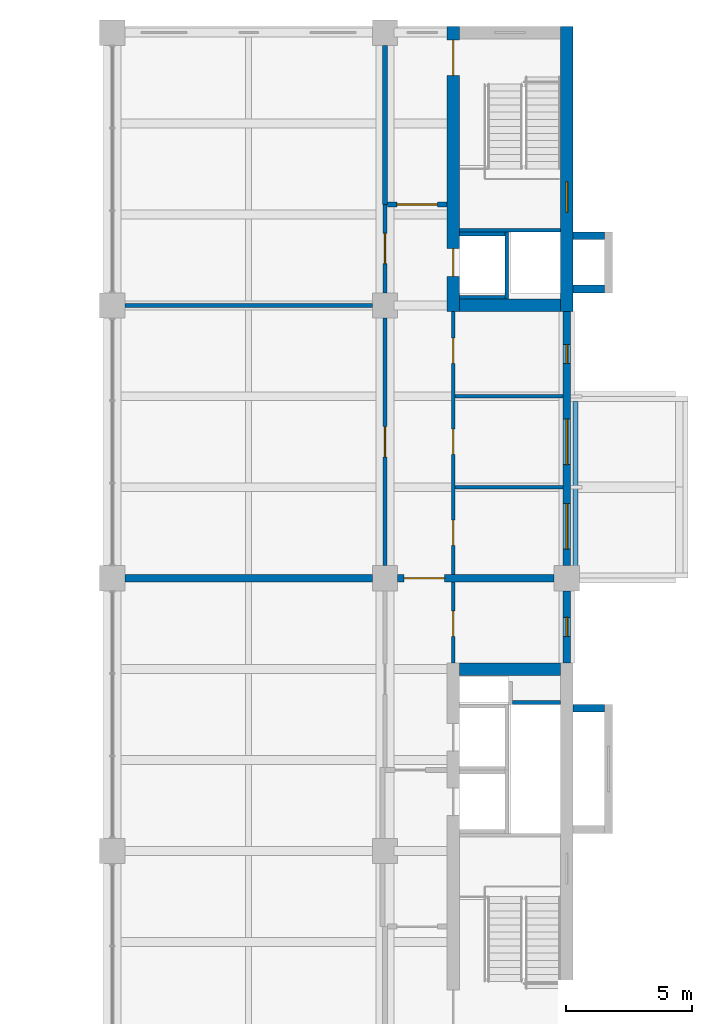
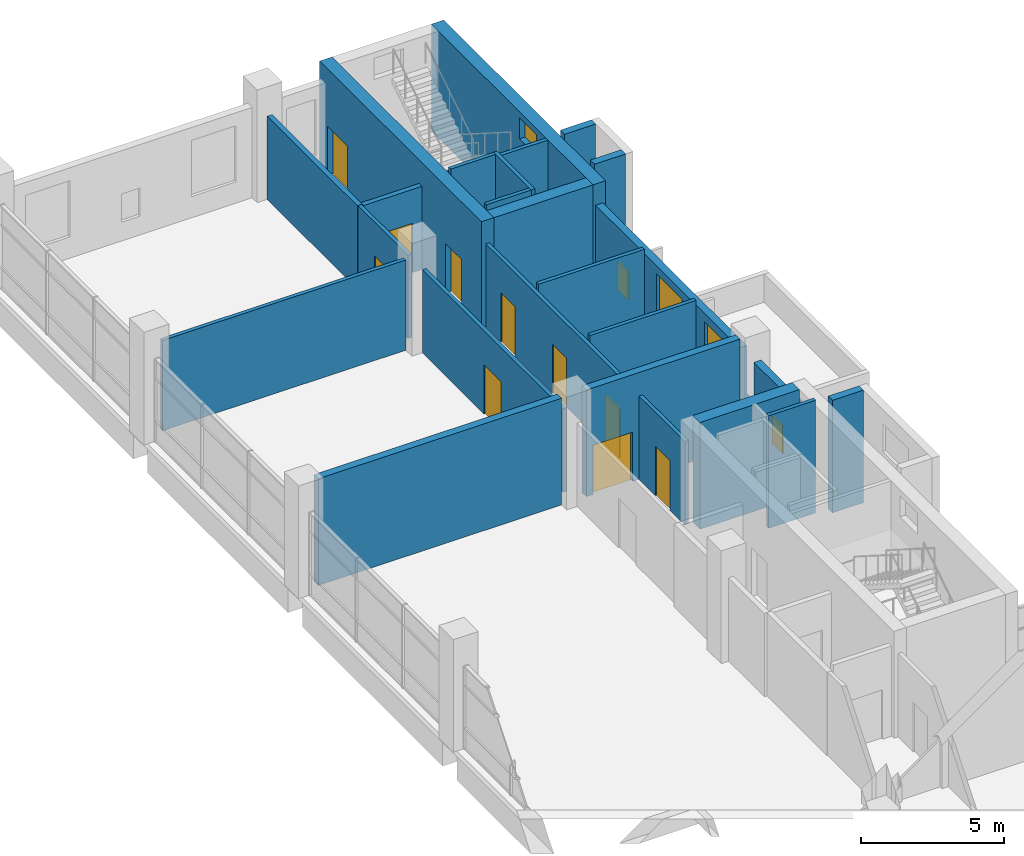
# One storey, part 25 of 30: 26 walls, 10 doors, 5 windows, 15 openings.
"""IFC4 building model written with IfcOpenShell, lengths in metres."""

from ifc_helpers import new_model, si_unit, direction, frame, frame_2d, origin, place, context, subcontext, project, spatial, rectangle, extrude, material, layer, layer_set, type_object, element, fill, save


model = new_model("IFC4")

# Units and contexts
model_context = context("Model", 3, precision=1e-05, world=origin(), true_north=direction((0.0, 1.0)))
body_context = subcontext(model_context, "Body", "Model", "MODEL_VIEW")
ifc_project = project(units=[si_unit("LENGTHUNIT", "METRE"), si_unit("AREAUNIT", "SQUARE_METRE"), si_unit("VOLUMEUNIT", "CUBIC_METRE"), si_unit("PLANEANGLEUNIT", "RADIAN"), si_unit("MASSUNIT", "GRAM", prefix="KILO")], contexts=[model_context])

# Site, building, storey
site_placement = place(None, origin())
site = spatial("IfcSite", under=ifc_project, at=site_placement, CompositionType="ELEMENT")
building_placement = place(site_placement, origin())
building = spatial("IfcBuilding", under=site, at=building_placement, Name="Basin Gate Institute", CompositionType="ELEMENT")
storey_placement = place(building_placement, frame((0.0, 0.0, 36.60009765625)))
storey = spatial("IfcBuildingStorey", under=building, at=storey_placement, Name="L07", CompositionType="ELEMENT", Elevation=36.60009765625)

# Wall, opening, door
ifc_material_1 = material(Name="Fire-rated masonry", Category="masonry")
ifc_layer_1 = layer(ifc_material_1, 0.199951171875)
ifc_layer_set_1 = layer_set([ifc_layer_1], Name="Enclosure wall PW2 200 EI 60")
wall_type_1 = type_object("IfcWallType", Name="Enclosure wall PW2 200 EI 60", PredefinedType="PARTITIONING", material=ifc_layer_set_1)
wall_1_placement = place(storey_placement, frame((114.050048828125, 93.10009765625, 0.0), z_axis=(0.0, 0.0, 1.0), x_axis=(-1.0, 0.0, 0.0)))
wall_1 = element("IfcWall", 1, at=wall_1_placement, inside=storey, type_object=wall_type_1, material=ifc_layer_set_1, Name="Smoke lobby enclosure wall PW2 L07", PredefinedType="PARTITIONING", context=body_context, shape_type="SweptSolid", body=[
    extrude(rectangle(XDim=2.35009765625, YDim=0.199951171875, at=frame_2d((1.175048828125, 0.0))), origin(), (0.0, 0.0, 1.0), 3.5498046875),
])
opening_1_placement = place(wall_1_placement, frame((0.375, 0.0, 0.0)))
opening_1 = element("IfcOpeningElement", 2, at=opening_1_placement, cuts=wall_1, Name="Opening DR341", PredefinedType="OPENING", context=body_context, shape_type="SweptSolid", body=[
    extrude(rectangle(XDim=1.60009765625, YDim=2.10009765625, at=frame_2d((0.800048828125, 1.050048828125))), frame((0.0, 0.10986328125, 0.0), z_axis=(0.0, -1.0, 0.0), x_axis=(1.0, 0.0, 0.0)), (0.0, 0.0, 1.0), 0.219970703125),
])
ifc_material_2 = material(Name="Steel fire door", Category="steel")
door_type_1 = type_object("IfcDoorType", Name="FD60 Smoke lobby door pair D8", OperationType="DOUBLE_DOOR_SINGLE_SWING", PredefinedType="DOOR", material=ifc_material_2)
door_1_placement = place(opening_1_placement, frame((1.60009765625, 0.0, 0.0), z_axis=(0.0, 0.0, 1.0), x_axis=(-1.0, 0.0, 0.0)))
door_1 = element("IfcDoor", 3, at=door_1_placement, inside=storey, type_object=door_type_1, material=ifc_material_2, Name="Smoke lobby door SS6 L07", OperationType="DOUBLE_DOOR_SINGLE_SWING", OverallHeight=2.10009765625, OverallWidth=1.60009765625, PredefinedType="DOOR", context=body_context, shape_type="SweptSolid", body=[
    extrude(rectangle(XDim=1.60009765625, YDim=2.10009765625, at=frame_2d((0.800048828125, 1.050048828125))), frame((0.0, 0.02490234375, 0.0), z_axis=(0.0, -1.0, 0.0), x_axis=(1.0, 0.0, 0.0)), (0.0, 0.0, 1.0), 0.050048828125),
])
fill(opening_1, door_1)

# Wall
wall_2_placement = place(storey_placement, frame((111.60009765625, 93.10009765625, 0.0), z_axis=(0.0, 0.0, 1.0), x_axis=(0.0, 1.0, 0.0)))
element("IfcWall", 4, at=wall_2_placement, inside=storey, type_object=wall_type_1, material=ifc_layer_set_1, Name="Smoke lobby enclosure wall PW2 L07", PredefinedType="PARTITIONING", context=body_context, shape_type="SweptSolid", body=[
    extrude(rectangle(XDim=6.2998046875, YDim=0.199951171875, at=frame_2d((3.14990234375, 0.0))), origin(), (0.0, 0.0, 1.0), 3.5498046875),
])

# Wall, opening, window
ifc_material_3 = material(Name="Aluminium-faced insulated panel wall", Category="aluminium")
ifc_layer_2 = layer(ifc_material_3, 0.300048828125)
ifc_layer_set_2 = layer_set([ifc_layer_2], Name="External wall EW1 EI 120")
wall_type_2 = type_object("IfcWallType", Name="External wall EW1 EI 120", PredefinedType="STANDARD", material=ifc_layer_set_2)
wall_3_placement = place(storey_placement, frame((118.800048828125, 74.949951171875, 0.0), z_axis=(0.0, 0.0, 1.0), x_axis=(0.0, 1.0, 0.0)))
wall_3 = element("IfcWall", 5, at=wall_3_placement, inside=storey, type_object=wall_type_2, material=ifc_layer_set_2, Name="External wall E facade L07 1", PredefinedType="STANDARD", context=body_context, shape_type="SweptSolid", body=[
    extrude(rectangle(XDim=2.85009765625, YDim=0.300048828125, at=frame_2d((1.425048828125, 0.0))), origin(), (0.0, 0.0, 1.0), 3.64990234375),
])
opening_2_placement = place(wall_3_placement, frame((1.050048828125, 0.0, 0.800048828125)))
opening_2 = element("IfcOpeningElement", 6, at=opening_2_placement, cuts=wall_3, Name="Opening WN3", PredefinedType="OPENING", context=body_context, shape_type="SweptSolid", body=[
    extrude(rectangle(XDim=0.75, YDim=1.199951171875, at=frame_2d((0.375, 0.60009765625))), frame((0.0, 0.16015625, 0.0), z_axis=(0.0, -1.0, 0.0), x_axis=(1.0, 0.0, 0.0)), (0.0, 0.0, 1.0), 0.320068359375),
])
ifc_material_4 = material(Name="Aluminium-framed double glazing", Category="aluminium")
window_type_1 = type_object("IfcWindowType", Name="Emergency entry panel WN3", PartitioningType="SINGLE_PANEL", PredefinedType="WINDOW", material=ifc_material_4)
window_1_placement = place(opening_2_placement, origin())
window_1 = element("IfcWindow", 7, at=window_1_placement, inside=storey, type_object=window_type_1, material=ifc_material_4, Name="Emergency entry panel E facade L07 bay 12", OverallHeight=1.199951171875, OverallWidth=0.75, PartitioningType="SINGLE_PANEL", PredefinedType="WINDOW", context=body_context, shape_type="SweptSolid", body=[
    extrude(rectangle(XDim=0.75, YDim=1.199951171875, at=frame_2d((0.375, 0.60009765625))), frame((0.0, 0.030029296875, 0.0), z_axis=(0.0, -1.0, 0.0), x_axis=(1.0, 0.0, 0.0)), (0.0, 0.0, 1.0), 0.06005859375),
])
fill(opening_2, window_1)

# Wall, openings, windows
wall_4_placement = place(storey_placement, frame((118.800048828125, 78.800048828125, 0.0), z_axis=(0.0, 0.0, 1.0), x_axis=(0.0, 1.0, 0.0)))
wall_4 = element("IfcWall", 8, at=wall_4_placement, inside=storey, type_object=wall_type_2, material=ifc_layer_set_2, Name="External wall E facade L07 2", PredefinedType="STANDARD", context=body_context, shape_type="SweptSolid", body=[
    extrude(rectangle(XDim=10.050048828125, YDim=0.300048828125, at=frame_2d((5.02490234375, 0.0))), origin(), (0.0, 0.0, 1.0), 3.64990234375),
])
opening_3_placement = place(wall_4_placement, frame((0.64990234375, 0.0, 0.89990234375)))
opening_3 = element("IfcOpeningElement", 9, at=opening_3_placement, cuts=wall_4, Name="Opening WN1", PredefinedType="OPENING", context=body_context, shape_type="SweptSolid", body=[
    extrude(rectangle(XDim=1.800048828125, YDim=2.39990234375, at=frame_2d((0.89990234375, 1.199951171875))), frame((0.0, 0.16015625, 0.0), z_axis=(0.0, -1.0, 0.0), x_axis=(1.0, 0.0, 0.0)), (0.0, 0.0, 1.0), 0.320068359375),
])
opening_4_placement = place(wall_4_placement, frame((4.0, 0.0, 0.89990234375)))
opening_4 = element("IfcOpeningElement", 10, at=opening_4_placement, cuts=wall_4, Name="Opening WN1", PredefinedType="OPENING", context=body_context, shape_type="SweptSolid", body=[
    extrude(rectangle(XDim=1.800048828125, YDim=2.39990234375, at=frame_2d((0.89990234375, 1.199951171875))), frame((0.0, 0.16015625, 0.0), z_axis=(0.0, -1.0, 0.0), x_axis=(1.0, 0.0, 0.0)), (0.0, 0.0, 1.0), 0.320068359375),
])
opening_5_placement = place(wall_4_placement, frame((8.0, 0.0, 0.800048828125)))
opening_5 = element("IfcOpeningElement", 11, at=opening_5_placement, cuts=wall_4, Name="Opening WN3", PredefinedType="OPENING", context=body_context, shape_type="SweptSolid", body=[
    extrude(rectangle(XDim=0.75, YDim=1.199951171875, at=frame_2d((0.375, 0.60009765625))), frame((0.0, 0.16015625, 0.0), z_axis=(0.0, -1.0, 0.0), x_axis=(1.0, 0.0, 0.0)), (0.0, 0.0, 1.0), 0.320068359375),
])
window_2_placement = place(opening_5_placement, origin())
window_2 = element("IfcWindow", 12, at=window_2_placement, inside=storey, type_object=window_type_1, material=ifc_material_4, Name="Emergency entry panel E facade L07 bay 15", OverallHeight=1.199951171875, OverallWidth=0.75, PartitioningType="SINGLE_PANEL", PredefinedType="WINDOW", context=body_context, shape_type="SweptSolid", body=[
    extrude(rectangle(XDim=0.75, YDim=1.199951171875, at=frame_2d((0.375, 0.60009765625))), frame((0.0, 0.030029296875, 0.0), z_axis=(0.0, -1.0, 0.0), x_axis=(1.0, 0.0, 0.0)), (0.0, 0.0, 1.0), 0.06005859375),
])
fill(opening_5, window_2)
ifc_material_5 = material(Name="Aluminium-framed double glazing", Category="aluminium")
window_type_2 = type_object("IfcWindowType", Name="Facade window WN1", PartitioningType="SINGLE_PANEL", PredefinedType="WINDOW", material=ifc_material_5)
window_3_placement = place(opening_3_placement, origin())
window_3 = element("IfcWindow", 13, at=window_3_placement, inside=storey, type_object=window_type_2, material=ifc_material_5, Name="Facade window E facade L07 bay 13", OverallHeight=2.39990234375, OverallWidth=1.800048828125, PartitioningType="SINGLE_PANEL", PredefinedType="WINDOW", context=body_context, shape_type="SweptSolid", body=[
    extrude(rectangle(XDim=1.800048828125, YDim=2.39990234375, at=frame_2d((0.89990234375, 1.199951171875))), frame((0.0, 0.030029296875, 0.0), z_axis=(0.0, -1.0, 0.0), x_axis=(1.0, 0.0, 0.0)), (0.0, 0.0, 1.0), 0.06005859375),
])
fill(opening_3, window_3)
window_4_placement = place(opening_4_placement, origin())
window_4 = element("IfcWindow", 14, at=window_4_placement, inside=storey, type_object=window_type_2, material=ifc_material_5, Name="Facade window E facade L07 bay 14", OverallHeight=2.39990234375, OverallWidth=1.800048828125, PartitioningType="SINGLE_PANEL", PredefinedType="WINDOW", context=body_context, shape_type="SweptSolid", body=[
    extrude(rectangle(XDim=1.800048828125, YDim=2.39990234375, at=frame_2d((0.89990234375, 1.199951171875))), frame((0.0, 0.030029296875, 0.0), z_axis=(0.0, -1.0, 0.0), x_axis=(1.0, 0.0, 0.0)), (0.0, 0.0, 1.0), 0.06005859375),
])
fill(opening_4, window_4)

# Wall
ifc_material_6 = material(Name="Concrete 40 MPa", Category="concrete")
ifc_layer_3 = layer(ifc_material_6, 0.199951171875)
ifc_layer_set_3 = layer_set([ifc_layer_3], Name="Concrete 40 MPa")
wall_type_3 = type_object("IfcWallType", Name="Parapet wall PA1", PredefinedType="PARAPET", material=ifc_layer_set_3)
wall_5_placement = place(storey_placement, frame((119.14990234375, 78.5, 0.0), z_axis=(0.0, 0.0, 1.0), x_axis=(0.0, 1.0, 0.0)))
element("IfcWall", 15, at=wall_5_placement, inside=storey, type_object=wall_type_3, material=ifc_layer_set_3, Name="Parapet wall PA1 L07 E2", PredefinedType="PARAPET", context=body_context, shape_type="SweptSolid", body=[
    extrude(rectangle(XDim=6.800048828125, YDim=0.199951171875, at=frame_2d((3.39990234375, 0.0))), origin(), (0.0, 0.0, 1.0), 1.199951171875),
])

# Wall, opening, door
ifc_material_7 = material(Name="Gypsum board on steel stud", Category="steel")
ifc_layer_4 = layer(ifc_material_7, 0.14990234375)
ifc_layer_set_4 = layer_set([ifc_layer_4], Name="Gypsum board on steel stud")
wall_type_4 = type_object("IfcWallType", Name="Partition PW1 150 EI 60", PredefinedType="PARTITIONING", material=ifc_layer_set_4)
wall_6_placement = place(storey_placement, frame((114.300048828125, 74.949951171875, 0.0), z_axis=(0.0, 0.0, 1.0), x_axis=(0.0, 1.0, 0.0)))
wall_6 = element("IfcWall", 16, at=wall_6_placement, inside=storey, type_object=wall_type_4, material=ifc_layer_set_4, Name="Corridor wall PW1 L07", PredefinedType="PARTITIONING", context=body_context, shape_type="SweptSolid", body=[
    extrude(rectangle(XDim=3.199951171875, YDim=0.14990234375, at=frame_2d((1.60009765625, 0.0))), origin(), (0.0, 0.0, 1.0), 3.5498046875),
])
opening_6_placement = place(wall_6_placement, frame((1.050048828125, 0.0, 0.0)))
opening_6 = element("IfcOpeningElement", 17, at=opening_6_placement, cuts=wall_6, Name="Opening DR330", PredefinedType="OPENING", context=body_context, shape_type="SweptSolid", body=[
    extrude(rectangle(XDim=1.0, YDim=2.10009765625, at=frame_2d((0.5, 1.050048828125))), frame((0.0, 0.0849609375, 0.0), z_axis=(0.0, -1.0, 0.0), x_axis=(1.0, 0.0, 0.0)), (0.0, 0.0, 1.0), 0.169921875),
])
ifc_material_8 = material(Name="Timber fire door", Category="wood")
door_type_2 = type_object("IfcDoorType", Name="FD30 Office door D1", OperationType="NOTDEFINED", PredefinedType="DOOR", material=ifc_material_8)
door_2_placement = place(opening_6_placement, frame((1.0, 0.0, 0.0), z_axis=(0.0, 0.0, 1.0), x_axis=(-1.0, 0.0, 0.0)))
door_2 = element("IfcDoor", 18, at=door_2_placement, inside=storey, type_object=door_type_2, material=ifc_material_8, Name="Door to Write-up Office 0753 L07", OperationType="SINGLE_SWING_RIGHT", OverallHeight=2.10009765625, OverallWidth=1.0, PredefinedType="DOOR", context=body_context, shape_type="SweptSolid", body=[
    extrude(rectangle(XDim=1.0, YDim=2.10009765625, at=frame_2d((0.5, 1.050048828125))), frame((0.0, 0.02490234375, 0.0), z_axis=(0.0, -1.0, 0.0), x_axis=(1.0, 0.0, 0.0)), (0.0, 0.0, 1.0), 0.050048828125),
])
fill(opening_6, door_2)

# Wall, openings, doors
wall_7_placement = place(storey_placement, frame((114.300048828125, 78.449951171875, 0.0), z_axis=(0.0, 0.0, 1.0), x_axis=(0.0, 1.0, 0.0)))
wall_7 = element("IfcWall", 19, at=wall_7_placement, inside=storey, type_object=wall_type_4, material=ifc_layer_set_4, Name="Corridor wall PW1 L07", PredefinedType="PARTITIONING", context=body_context, shape_type="SweptSolid", body=[
    extrude(rectangle(XDim=10.400146484375, YDim=0.14990234375, at=frame_2d((5.2001953125, 0.0))), origin(), (0.0, 0.0, 1.0), 3.5498046875),
])
opening_7_placement = place(wall_7_placement, frame((8.35009765625, 0.0, 0.0)))
opening_7 = element("IfcOpeningElement", 20, at=opening_7_placement, cuts=wall_7, Name="Opening DR325", PredefinedType="OPENING", context=body_context, shape_type="SweptSolid", body=[
    extrude(rectangle(XDim=1.0, YDim=2.10009765625, at=frame_2d((0.5, 1.050048828125))), frame((0.0, 0.0849609375, 0.0), z_axis=(0.0, -1.0, 0.0), x_axis=(1.0, 0.0, 0.0)), (0.0, 0.0, 1.0), 0.169921875),
])
opening_8_placement = place(wall_7_placement, frame((4.75, 0.0, 0.0)))
opening_8 = element("IfcOpeningElement", 21, at=opening_8_placement, cuts=wall_7, Name="Opening DR326", PredefinedType="OPENING", context=body_context, shape_type="SweptSolid", body=[
    extrude(rectangle(XDim=1.0, YDim=2.10009765625, at=frame_2d((0.5, 1.050048828125))), frame((0.0, 0.0849609375, 0.0), z_axis=(0.0, -1.0, 0.0), x_axis=(1.0, 0.0, 0.0)), (0.0, 0.0, 1.0), 0.169921875),
])
opening_9_placement = place(wall_7_placement, frame((1.14990234375, 0.0, 0.0)))
opening_9 = element("IfcOpeningElement", 22, at=opening_9_placement, cuts=wall_7, Name="Opening DR329", PredefinedType="OPENING", context=body_context, shape_type="SweptSolid", body=[
    extrude(rectangle(XDim=1.0, YDim=2.10009765625, at=frame_2d((0.5, 1.050048828125))), frame((0.0, 0.0849609375, 0.0), z_axis=(0.0, -1.0, 0.0), x_axis=(1.0, 0.0, 0.0)), (0.0, 0.0, 1.0), 0.169921875),
])
ifc_material_9 = material(Name="Steel fire door", Category="steel")
door_type_3 = type_object("IfcDoorType", Name="FD30 Store door D4", OperationType="NOTDEFINED", PredefinedType="DOOR", material=ifc_material_9)
door_3_placement = place(opening_9_placement, frame((1.0, 0.0, 0.0), z_axis=(0.0, 0.0, 1.0), x_axis=(-1.0, 0.0, 0.0)))
door_3 = element("IfcDoor", 23, at=door_3_placement, inside=storey, type_object=door_type_3, material=ifc_material_9, Name="Door to Tea Point L07", OperationType="SINGLE_SWING_RIGHT", OverallHeight=2.10009765625, OverallWidth=1.0, PredefinedType="DOOR", context=body_context, shape_type="SweptSolid", body=[
    extrude(rectangle(XDim=1.0, YDim=2.10009765625, at=frame_2d((0.5, 1.050048828125))), frame((0.0, 0.02490234375, 0.0), z_axis=(0.0, -1.0, 0.0), x_axis=(1.0, 0.0, 0.0)), (0.0, 0.0, 1.0), 0.050048828125),
])
fill(opening_9, door_3)
ifc_material_10 = material(Name="Timber fire door", Category="wood")
door_type_4 = type_object("IfcDoorType", Name="FD30 Toilet door D3", OperationType="NOTDEFINED", PredefinedType="DOOR", material=ifc_material_10)
door_4_placement = place(opening_7_placement, frame((1.0, 0.0, 0.0), z_axis=(0.0, 0.0, 1.0), x_axis=(-1.0, 0.0, 0.0)))
door_4 = element("IfcDoor", 24, at=door_4_placement, inside=storey, type_object=door_type_4, material=ifc_material_10, Name="Door to Female WC L07", OperationType="SINGLE_SWING_LEFT", OverallHeight=2.10009765625, OverallWidth=1.0, PredefinedType="DOOR", context=body_context, shape_type="SweptSolid", body=[
    extrude(rectangle(XDim=1.0, YDim=2.10009765625, at=frame_2d((0.5, 1.050048828125))), frame((0.0, 0.02490234375, 0.0), z_axis=(0.0, -1.0, 0.0), x_axis=(1.0, 0.0, 0.0)), (0.0, 0.0, 1.0), 0.050048828125),
])
fill(opening_7, door_4)
door_5_placement = place(opening_8_placement, frame((1.0, 0.0, 0.0), z_axis=(0.0, 0.0, 1.0), x_axis=(-1.0, 0.0, 0.0)))
door_5 = element("IfcDoor", 25, at=door_5_placement, inside=storey, type_object=door_type_4, material=ifc_material_10, Name="Door to Male WC L07", OperationType="SINGLE_SWING_RIGHT", OverallHeight=2.10009765625, OverallWidth=1.0, PredefinedType="DOOR", context=body_context, shape_type="SweptSolid", body=[
    extrude(rectangle(XDim=1.0, YDim=2.10009765625, at=frame_2d((0.5, 1.050048828125))), frame((0.0, 0.02490234375, 0.0), z_axis=(0.0, -1.0, 0.0), x_axis=(1.0, 0.0, 0.0)), (0.0, 0.0, 1.0), 0.050048828125),
])
fill(opening_8, door_5)

# Wall, opening, door
wall_8_placement = place(storey_placement, frame((111.60009765625, 78.800048828125, 0.0), z_axis=(0.0, 0.0, 1.0), x_axis=(0.0, 1.0, 0.0)))
wall_8 = element("IfcWall", 26, at=wall_8_placement, inside=storey, type_object=wall_type_4, material=ifc_layer_set_4, Name="Laboratory corridor wall PW1 L07", PredefinedType="PARTITIONING", context=body_context, shape_type="SweptSolid", body=[
    extrude(rectangle(XDim=9.800048828125, YDim=0.14990234375, at=frame_2d((4.89990234375, 0.0))), origin(), (0.0, 0.0, 1.0), 3.5498046875),
])
opening_10_placement = place(wall_8_placement, frame((4.300048828125, 0.0, 0.0)))
opening_10 = element("IfcOpeningElement", 27, at=opening_10_placement, cuts=wall_8, Name="Opening DR335", PredefinedType="OPENING", context=body_context, shape_type="SweptSolid", body=[
    extrude(rectangle(XDim=1.199951171875, YDim=2.10009765625, at=frame_2d((0.60009765625, 1.050048828125))), frame((0.0, 0.0849609375, 0.0), z_axis=(0.0, -1.0, 0.0), x_axis=(1.0, 0.0, 0.0)), (0.0, 0.0, 1.0), 0.169921875),
])
ifc_material_11 = material(Name="Timber fire door", Category="wood")
door_type_5 = type_object("IfcDoorType", Name="FD30 Laboratory door D2", OperationType="DOUBLE_DOOR_SINGLE_SWING", PredefinedType="DOOR", material=ifc_material_11)
door_6_placement = place(opening_10_placement, origin())
door_6 = element("IfcDoor", 28, at=door_6_placement, inside=storey, type_object=door_type_5, material=ifc_material_11, Name="Door to Write-up Office 0769 L07", OperationType="DOUBLE_DOOR_SINGLE_SWING", OverallHeight=2.10009765625, OverallWidth=1.199951171875, PredefinedType="DOOR", context=body_context, shape_type="SweptSolid", body=[
    extrude(rectangle(XDim=1.199951171875, YDim=2.10009765625, at=frame_2d((0.60009765625, 1.050048828125))), frame((0.0, 0.02490234375, 0.0), z_axis=(0.0, -1.0, 0.0), x_axis=(1.0, 0.0, 0.0)), (0.0, 0.0, 1.0), 0.050048828125),
])
fill(opening_10, door_6)

wall_9_placement = place(storey_placement, frame((111.60009765625, 89.60009765625, 0.0), z_axis=(0.0, 0.0, 1.0), x_axis=(0.0, 1.0, 0.0)))
wall_9 = element("IfcWall", 29, at=wall_9_placement, inside=storey, type_object=wall_type_4, material=ifc_layer_set_4, Name="Laboratory corridor wall PW1 L07", PredefinedType="PARTITIONING", context=body_context, shape_type="SweptSolid", body=[
    extrude(rectangle(XDim=3.5, YDim=0.14990234375, at=frame_2d((1.75, 0.0))), origin(), (0.0, 0.0, 1.0), 3.5498046875),
])
opening_11_placement = place(wall_9_placement, frame((1.14990234375, 0.0, 0.0)))
opening_11 = element("IfcOpeningElement", 30, at=opening_11_placement, cuts=wall_9, Name="Opening DR336", PredefinedType="OPENING", context=body_context, shape_type="SweptSolid", body=[
    extrude(rectangle(XDim=1.199951171875, YDim=2.10009765625, at=frame_2d((0.60009765625, 1.050048828125))), frame((0.0, 0.0849609375, 0.0), z_axis=(0.0, -1.0, 0.0), x_axis=(1.0, 0.0, 0.0)), (0.0, 0.0, 1.0), 0.169921875),
])
door_7_placement = place(opening_11_placement, origin())
door_7 = element("IfcDoor", 31, at=door_7_placement, inside=storey, type_object=door_type_5, material=ifc_material_11, Name="Door to Write-up Office 0770 L07", OperationType="DOUBLE_DOOR_SINGLE_SWING", OverallHeight=2.10009765625, OverallWidth=1.199951171875, PredefinedType="DOOR", context=body_context, shape_type="SweptSolid", body=[
    extrude(rectangle(XDim=1.199951171875, YDim=2.10009765625, at=frame_2d((0.60009765625, 1.050048828125))), frame((0.0, 0.02490234375, 0.0), z_axis=(0.0, -1.0, 0.0), x_axis=(1.0, 0.0, 0.0)), (0.0, 0.0, 1.0), 0.050048828125),
])
fill(opening_11, door_7)

# Walls
wall_10_placement = place(storey_placement, frame((111.10009765625, 89.10009765625, 0.0), z_axis=(0.0, 0.0, 1.0), x_axis=(-1.0, 0.0, 0.0)))
element("IfcWall", 32, at=wall_10_placement, inside=storey, type_object=wall_type_4, material=ifc_layer_set_4, Name="Laboratory partition PW1 L07", PredefinedType="PARTITIONING", context=body_context, shape_type="SweptSolid", body=[
    extrude(rectangle(XDim=9.800048828125, YDim=0.14990234375, at=frame_2d((4.89990234375, 0.0))), origin(), (0.0, 0.0, 1.0), 3.849853515625),
])
ifc_material_12 = material(Name="Gypsum board on steel stud", Category="steel")
ifc_layer_5 = layer(ifc_material_12, 0.14990234375)
ifc_layer_set_5 = layer_set([ifc_layer_5], Name="Gypsum board on steel stud")
wall_type_5 = type_object("IfcWallType", Name="Partition PW4 150", PredefinedType="PARTITIONING", material=ifc_layer_set_5)
for number, where, z_axis, x_axis, name in (
    (33, (118.64990234375, 81.89990234375, 0.0), (0.0, 0.0, 1.0), (-1.0, 0.0, 0.0), "Toilet partition PW4 L07"),
    (34, (118.64990234375, 85.5, 0.0), (0.0, 0.0, 1.0), (-1.0, 0.0, 0.0), "Toilet partition PW4 L07"),
):
    element("IfcWall", number, at=place(storey_placement, frame(where, z_axis=z_axis, x_axis=x_axis)), inside=storey, type_object=wall_type_5, material=ifc_layer_set_5, Name=name, PredefinedType="PARTITIONING", context=body_context, shape_type="SweptSolid", body=[
        extrude(rectangle(XDim=4.27490234375, YDim=0.14990234375, at=frame_2d((2.137451171875, 0.0))), origin(), (0.0, 0.0, 1.0), 3.849853515625),
    ])
ifc_material_13 = material(Name="Concrete 40 MPa", Category="concrete")
ifc_layer_6 = layer(ifc_material_13, 0.14990234375)
ifc_layer_set_6 = layer_set([ifc_layer_6], Name="Concrete 40 MPa")
wall_type_6 = type_object("IfcWallType", Name="Wall LS1 lift shaft enclosure R120", PredefinedType="SOLIDWALL", material=ifc_layer_set_6)
wall_11_placement = place(storey_placement, frame((116.425048828125, 92.0, 0.0), z_axis=(0.0, 0.0, 1.0), x_axis=(0.0, -1.0, 0.0)))
element("IfcWall", 35, at=wall_11_placement, inside=storey, type_object=wall_type_6, material=ifc_layer_set_6, Name="Lift shaft enclosure LP6 L07 UL", PredefinedType="SOLIDWALL", context=body_context, shape_type="SweptSolid", body=[
    extrude(rectangle(XDim=2.64990234375, YDim=0.14990234375, at=frame_2d((1.324951171875, 0.0))), origin(), (0.0, 0.0, 1.0), 4.7998046875),
])
for number, where, z_axis, x_axis, name in (
    (36, (116.35009765625, 91.925048828125, 0.0), (0.0, 0.0, 1.0), (-1.0, 0.0, 0.0), "Lift shaft enclosure LP6 L07 RL"),
    (37, (116.35009765625, 89.425048828125, 0.0), (0.0, 0.0, 1.0), (-1.0, 0.0, 0.0), "Lift shaft enclosure LP6 L07 RH"),
):
    element("IfcWall", number, at=place(storey_placement, frame(where, z_axis=z_axis, x_axis=x_axis)), inside=storey, type_object=wall_type_6, material=ifc_layer_set_6, Name=name, PredefinedType="SOLIDWALL", context=body_context, shape_type="SweptSolid", body=[
        extrude(rectangle(XDim=1.800048828125, YDim=0.14990234375, at=frame_2d((0.89990234375, 0.0))), origin(), (0.0, 0.0, 1.0), 4.7998046875),
    ])
ifc_material_14 = material(Name="Concrete 40 MPa", Category="concrete")
ifc_layer_7 = layer(ifc_material_14, 0.14990234375)
ifc_layer_set_7 = layer_set([ifc_layer_7], Name="Concrete 40 MPa")
wall_type_7 = type_object("IfcWallType", Name="Wall RS1 riser shaft enclosure R120", PredefinedType="SOLIDWALL", material=ifc_layer_set_7)
wall_12_placement = place(storey_placement, frame((118.550048828125, 73.375, 0.0), z_axis=(0.0, 0.0, 1.0), x_axis=(-1.0, 0.0, 0.0)))
element("IfcWall", 38, at=wall_12_placement, inside=storey, type_object=wall_type_7, material=ifc_layer_set_7, Name="Riser shaft enclosure EM L07 N", PredefinedType="SOLIDWALL", context=body_context, shape_type="SweptSolid", body=[
    extrude(rectangle(XDim=1.900146484375, YDim=0.14990234375, at=frame_2d((0.9501953125, 0.0))), origin(), (0.0, 0.0, 1.0), 4.7998046875),
])
ifc_material_15 = material(Name="Concrete 40 MPa", Category="concrete")
ifc_layer_8 = layer(ifc_material_15, 0.14990234375)
ifc_layer_set_8 = layer_set([ifc_layer_8], Name="Concrete 40 MPa")
wall_type_8 = type_object("IfcWallType", Name="Wall SE1 stair enclosure R120", PredefinedType="SOLIDWALL", material=ifc_layer_set_8)
wall_13_placement = place(storey_placement, frame((118.550048828125, 92.074951171875, 0.0), z_axis=(0.0, 0.0, 1.0), x_axis=(-1.0, 0.0, 0.0)))
element("IfcWall", 39, at=wall_13_placement, inside=storey, type_object=wall_type_8, material=ifc_layer_set_8, Name="Stair enclosure wall ST-EN L07", PredefinedType="SOLIDWALL", context=body_context, shape_type="SweptSolid", body=[
    extrude(rectangle(XDim=4.0, YDim=0.14990234375, at=frame_2d((2.0, 0.0))), origin(), (0.0, 0.0, 1.0), 4.5498046875),
])
ifc_material_16 = material(Name="Concrete 50 MPa", Category="concrete")
ifc_layer_9 = layer(ifc_material_16, 0.300048828125)
ifc_layer_set_9 = layer_set([ifc_layer_9], Name="Concrete 50 MPa")
wall_type_9 = type_object("IfcWallType", Name="Wall SK1 R120", PredefinedType="SHEAR", material=ifc_layer_set_9)
for number, where, z_axis, x_axis, name in (
    (40, (119.050048828125, 73.14990234375, 0.0), (0.0, 0.0, 1.0), (1.0, 0.0, 0.0), "Spine riser stack wall SK1 EM B L07"),
    (41, (119.050048828125, 89.75, 0.0), (0.0, 0.0, 1.0), (1.0, 0.0, 0.0), "Spine riser stack wall SK1 EN A L07"),
    (42, (119.050048828125, 91.85009765625, 0.0), (0.0, 0.0, 1.0), (1.0, 0.0, 0.0), "Spine riser stack wall SK1 EN B L07"),
):
    element("IfcWall", number, at=place(storey_placement, frame(where, z_axis=z_axis, x_axis=x_axis)), inside=storey, type_object=wall_type_9, material=ifc_layer_set_9, Name=name, PredefinedType="SHEAR", context=body_context, shape_type="SweptSolid", body=[
        extrude(rectangle(XDim=1.25, YDim=0.300048828125, at=frame_2d((0.625, 0.0))), origin(), (0.0, 0.0, 1.0), 4.7998046875),
    ])
ifc_material_17 = material(Name="Concrete 60 MPa", Category="concrete")
ifc_layer_10 = layer(ifc_material_17, 0.5)
ifc_layer_set_10 = layer_set([ifc_layer_10], Name="Concrete 60 MPa")
wall_type_10 = type_object("IfcWallType", Name="Wall SW1 R120", PredefinedType="SHEAR", material=ifc_layer_set_10)
wall_14_placement = place(storey_placement, frame((118.550048828125, 74.699951171875, 0.0), z_axis=(0.0, 0.0, 1.0), x_axis=(-1.0, 0.0, 0.0)))
element("IfcWall", 43, at=wall_14_placement, inside=storey, type_object=wall_type_10, material=ifc_layer_set_10, Name="WALL/L07/EM/N", PredefinedType="SHEAR", context=body_context, shape_type="SweptSolid", body=[
    extrude(rectangle(XDim=4.0, YDim=0.5, at=frame_2d((2.0, 0.0))), origin(), (0.0, 0.0, 1.0), 4.5498046875),
])

# Wall, opening, window
wall_15_placement = place(storey_placement, frame((118.800048828125, 88.85009765625, 0.0), z_axis=(0.0, 0.0, 1.0), x_axis=(0.0, 1.0, 0.0)))
wall_15 = element("IfcWall", 44, at=wall_15_placement, inside=storey, type_object=wall_type_10, material=ifc_layer_set_10, Name="WALL/L07/EN/L", PredefinedType="SHEAR", context=body_context, shape_type="SweptSolid", body=[
    extrude(rectangle(XDim=11.2998046875, YDim=0.5, at=frame_2d((5.64990234375, 0.0))), origin(), (0.0, 0.0, 1.0), 4.5498046875),
])
opening_12_placement = place(wall_15_placement, frame((3.93994140625, 0.0, 3.39990234375)))
opening_12 = element("IfcOpeningElement", 45, at=opening_12_placement, cuts=wall_15, Name="Opening WT2", PredefinedType="OPENING", context=body_context, shape_type="SweptSolid", body=[
    extrude(rectangle(XDim=1.199951171875, YDim=0.89990234375, at=frame_2d((0.60009765625, 0.449951171875))), frame((0.0, 0.260009765625, 0.0), z_axis=(0.0, -1.0, 0.0), x_axis=(1.0, 0.0, 0.0)), (0.0, 0.0, 1.0), 0.52001953125),
])
ifc_material_18 = material(Name="Fire-resistant glazing in steel-free frame", Category="steel")
window_type_3 = type_object("IfcWindowType", Name="Rated stair window EI 120 WT2", PartitioningType="SINGLE_PANEL", PredefinedType="WINDOW", material=ifc_material_18)
window_5_placement = place(opening_12_placement, origin())
window_5 = element("IfcWindow", 46, at=window_5_placement, inside=storey, type_object=window_type_3, material=ifc_material_18, Name="Rated stair window EI 120 EN landing L07", OverallHeight=0.89990234375, OverallWidth=1.199951171875, PartitioningType="SINGLE_PANEL", PredefinedType="WINDOW", context=body_context, shape_type="SweptSolid", body=[
    extrude(rectangle(XDim=1.199951171875, YDim=0.89990234375, at=frame_2d((0.60009765625, 0.449951171875))), frame((0.0, 0.030029296875, 0.0), z_axis=(0.0, -1.0, 0.0), x_axis=(1.0, 0.0, 0.0)), (0.0, 0.0, 1.0), 0.06005859375),
])
fill(opening_12, window_5)

# Wall, openings, doors
wall_16_placement = place(storey_placement, frame((114.300048828125, 88.85009765625, 0.0), z_axis=(0.0, 0.0, 1.0), x_axis=(0.0, 1.0, 0.0)))
wall_16 = element("IfcWall", 47, at=wall_16_placement, inside=storey, type_object=wall_type_10, material=ifc_layer_set_10, Name="WALL/L07/EN/C", PredefinedType="SHEAR", context=body_context, shape_type="SweptSolid", body=[
    extrude(rectangle(XDim=11.2998046875, YDim=0.5, at=frame_2d((5.64990234375, 0.0))), origin(), (0.0, 0.0, 1.0), 4.5498046875),
])
opening_13_placement = place(wall_16_placement, frame((9.35009765625, 0.0, 0.0)))
opening_13 = element("IfcOpeningElement", 48, at=opening_13_placement, cuts=wall_16, Name="Opening DS048", PredefinedType="OPENING", context=body_context, shape_type="SweptSolid", body=[
    extrude(rectangle(XDim=1.39990234375, YDim=2.10009765625, at=frame_2d((0.699951171875, 1.050048828125))), frame((0.0, 0.260009765625, 0.0), z_axis=(0.0, -1.0, 0.0), x_axis=(1.0, 0.0, 0.0)), (0.0, 0.0, 1.0), 0.52001953125),
])
opening_14_placement = place(wall_16_placement, frame((1.39990234375, 0.0, 0.0)))
opening_14 = element("IfcOpeningElement", 49, at=opening_14_placement, cuts=wall_16, Name="Opening LD113", PredefinedType="OPENING", context=body_context, shape_type="SweptSolid", body=[
    extrude(rectangle(XDim=1.10009765625, YDim=2.10009765625, at=frame_2d((0.550048828125, 1.050048828125))), frame((0.0, 0.260009765625, 0.0), z_axis=(0.0, -1.0, 0.0), x_axis=(1.0, 0.0, 0.0)), (0.0, 0.0, 1.0), 0.52001953125),
])
ifc_material_19 = material(Name="Steel fire door", Category="steel")
door_type_6 = type_object("IfcDoorType", Name="FD30 Stair enclosure door DS", OperationType="DOUBLE_DOOR_SINGLE_SWING", PredefinedType="DOOR", material=ifc_material_19)
door_8_placement = place(opening_13_placement, frame((1.39990234375, 0.0, 0.0), z_axis=(0.0, 0.0, 1.0), x_axis=(-1.0, 0.0, 0.0)))
door_8 = element("IfcDoor", 50, at=door_8_placement, inside=storey, type_object=door_type_6, material=ifc_material_19, Name="Stair enclosure door ST-EN L07", OperationType="DOUBLE_DOOR_SINGLE_SWING", OverallHeight=2.10009765625, OverallWidth=1.39990234375, PredefinedType="DOOR", context=body_context, shape_type="SweptSolid", body=[
    extrude(rectangle(XDim=1.39990234375, YDim=2.10009765625, at=frame_2d((0.699951171875, 1.050048828125))), frame((0.0, 0.02490234375, 0.0), z_axis=(0.0, -1.0, 0.0), x_axis=(1.0, 0.0, 0.0)), (0.0, 0.0, 1.0), 0.050048828125),
])
fill(opening_13, door_8)
ifc_material_20 = material(Name="Stainless steel", Category="steel")
door_type_7 = type_object("IfcDoorType", Name="FD60 Lift landing door LD", OperationType="SLIDING_TO_LEFT", PredefinedType="DOOR", material=ifc_material_20)
door_9_placement = place(opening_14_placement, origin())
door_9 = element("IfcDoor", 51, at=door_9_placement, inside=storey, type_object=door_type_7, material=ifc_material_20, Name="Lift landing door LP6 L07", OperationType="SLIDING_TO_LEFT", OverallHeight=2.10009765625, OverallWidth=1.10009765625, PredefinedType="DOOR", context=body_context, shape_type="SweptSolid", body=[
    extrude(rectangle(XDim=1.10009765625, YDim=2.10009765625, at=frame_2d((0.550048828125, 1.050048828125))), frame((0.0, 0.02490234375, 0.0), z_axis=(0.0, -1.0, 0.0), x_axis=(1.0, 0.0, 0.0)), (0.0, 0.0, 1.0), 0.050048828125),
])
fill(opening_14, door_9)

# Wall
wall_17_placement = place(storey_placement, frame((118.550048828125, 89.10009765625, 0.0), z_axis=(0.0, 0.0, 1.0), x_axis=(-1.0, 0.0, 0.0)))
element("IfcWall", 52, at=wall_17_placement, inside=storey, type_object=wall_type_10, material=ifc_layer_set_10, Name="WALL/L07/EN/S", PredefinedType="SHEAR", context=body_context, shape_type="SweptSolid", body=[
    extrude(rectangle(XDim=4.0, YDim=0.5, at=frame_2d((2.0, 0.0))), origin(), (0.0, 0.0, 1.0), 4.5498046875),
])

# Wall, opening, door
ifc_material_21 = material(Name="Concrete 50 MPa", Category="concrete")
ifc_layer_11 = layer(ifc_material_21, 0.300048828125)
ifc_layer_set_11 = layer_set([ifc_layer_11], Name="Concrete 50 MPa")
wall_type_11 = type_object("IfcWallType", Name="Wall XW1 R120", PredefinedType="SHEAR", material=ifc_layer_set_11)
wall_18_placement = place(storey_placement, frame((118.300048828125, 78.300048828125, 0.0), z_axis=(0.0, 0.0, 1.0), x_axis=(-1.0, 0.0, 0.0)))
wall_18 = element("IfcWall", 53, at=wall_18_placement, inside=storey, type_object=wall_type_11, material=ifc_layer_set_11, Name="WALL/L07/EXE/1", PredefinedType="SHEAR", context=body_context, shape_type="SweptSolid", body=[
    extrude(rectangle(XDim=6.199951171875, YDim=0.300048828125, at=frame_2d((3.10009765625, 0.0))), origin(), (0.0, 0.0, 1.0), 4.5498046875),
])
opening_15_placement = place(wall_18_placement, frame((4.33740234375, 0.0, 0.0)))
opening_15 = element("IfcOpeningElement", 54, at=opening_15_placement, cuts=wall_18, Name="Opening DR343", PredefinedType="OPENING", context=body_context, shape_type="SweptSolid", body=[
    extrude(rectangle(XDim=1.60009765625, YDim=2.10009765625, at=frame_2d((0.800048828125, 1.050048828125))), frame((0.0, 0.16015625, 0.0), z_axis=(0.0, -1.0, 0.0), x_axis=(1.0, 0.0, 0.0)), (0.0, 0.0, 1.0), 0.320068359375),
])
ifc_material_22 = material(Name="Steel fire door", Category="steel")
door_type_8 = type_object("IfcDoorType", Name="FD60 Compartment door pair D7", OperationType="DOUBLE_DOOR_SINGLE_SWING", PredefinedType="DOOR", material=ifc_material_22)
door_10_placement = place(opening_15_placement, origin())
door_10 = element("IfcDoor", 55, at=door_10_placement, inside=storey, type_object=door_type_8, material=ifc_material_22, Name="Compartment door pair L07 E2 L07", OperationType="DOUBLE_DOOR_SINGLE_SWING", OverallHeight=2.10009765625, OverallWidth=1.60009765625, PredefinedType="DOOR", context=body_context, shape_type="SweptSolid", body=[
    extrude(rectangle(XDim=1.60009765625, YDim=2.10009765625, at=frame_2d((0.800048828125, 1.050048828125))), frame((0.0, 0.02490234375, 0.0), z_axis=(0.0, -1.0, 0.0), x_axis=(1.0, 0.0, 0.0)), (0.0, 0.0, 1.0), 0.050048828125),
])
fill(opening_15, door_10)

# Wall
wall_19_placement = place(storey_placement, frame((111.10009765625, 78.300048828125, 0.0), z_axis=(0.0, 0.0, 1.0), x_axis=(-1.0, 0.0, 0.0)))
element("IfcWall", 56, at=wall_19_placement, inside=storey, type_object=wall_type_11, material=ifc_layer_set_11, Name="WALL/L07/EXE/2", PredefinedType="SHEAR", context=body_context, shape_type="SweptSolid", body=[
    extrude(rectangle(XDim=9.800048828125, YDim=0.300048828125, at=frame_2d((4.89990234375, 0.0))), origin(), (0.0, 0.0, 1.0), 4.5498046875),
])

save(model, "model.ifc")
